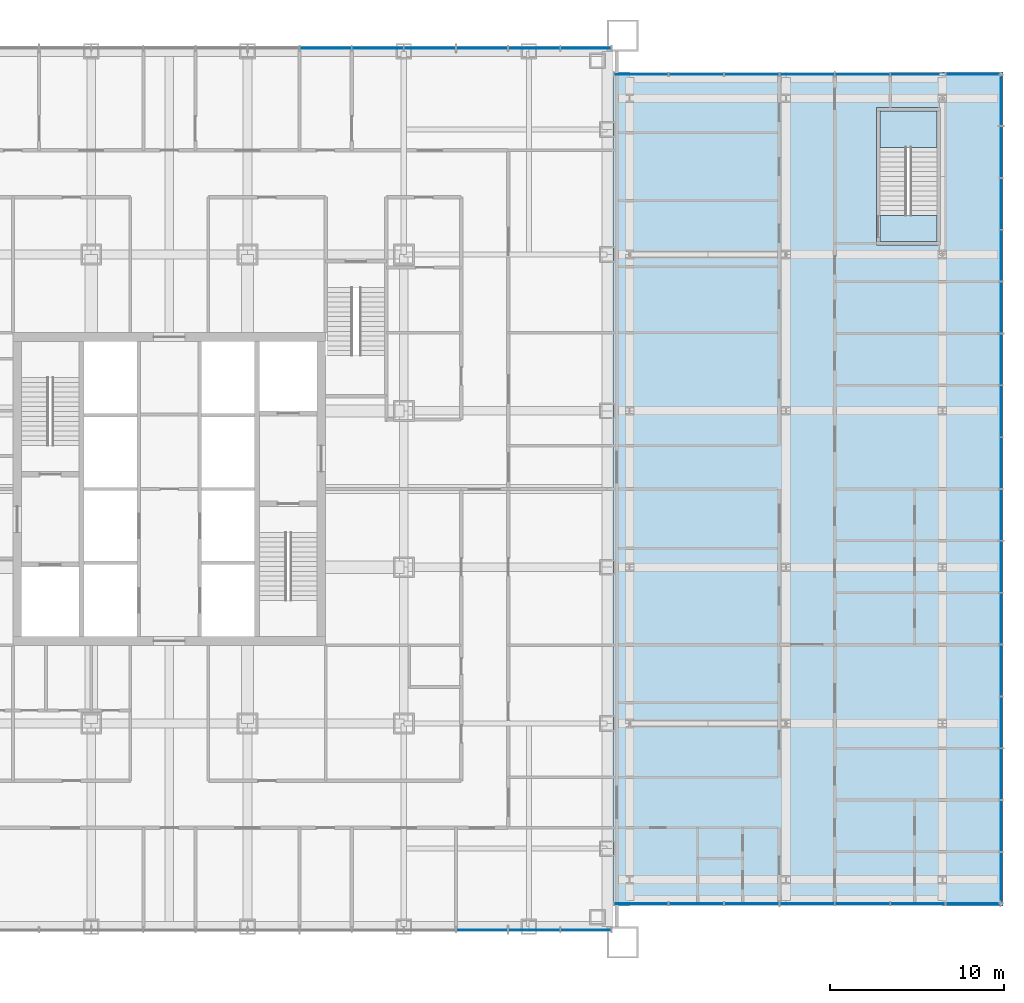
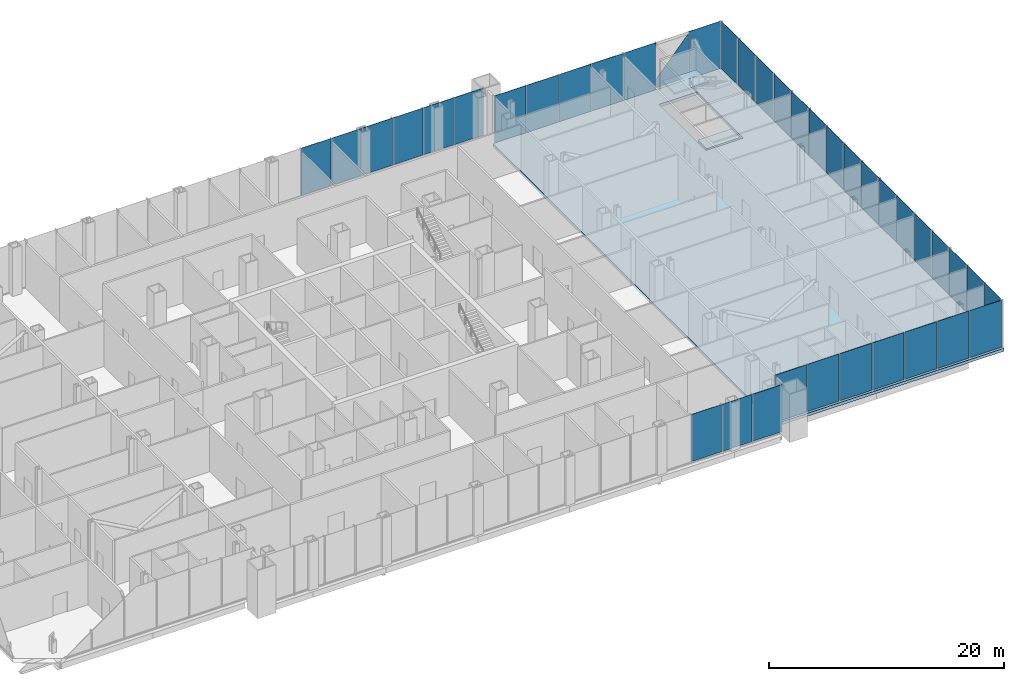
# One storey, part 11 of 25: 39 plates, 3 slabs, 6 elements without a shape of their own.
"""IFC4 building model written with IfcOpenShell, lengths in metres."""

import ifcopenshell
import ifcopenshell.guid

model = None  # the IFC model being written
_history = None  # IfcOwnerHistory: only IFC2X3 demands one
_inside = {}  # id of a spatial element -> (the spatial element, [elements in it])
_under = {}  # id of a project, library or spatial element -> (it, [spatial elements below it])
_declared = {}  # id of a project -> (the project, [libraries it declares])
_typed = {}  # id of a type object -> (the type object, [elements of that type])
_made_of = {}  # id of a material, layer set ... -> (it, [elements and type objects made of it])


def new_model(schema):
    """Start an empty IFC model of exactly this schema.

    Asked for "IFC4X3", IfcOpenShell would pick the latest addendum, in which some entities
    have other attributes; the version numbers below select the first issue.
    IFC2X3 requires an IfcOwnerHistory on every rooted entity: one is made here for all.
    """
    global model, _history
    if schema == "IFC4X3":
        model = ifcopenshell.file(schema_version=(4, 3, 0, 0))
    else:
        model = ifcopenshell.file(schema=schema)
    _inside.clear()
    _under.clear()
    _declared.clear()
    _typed.clear()
    _made_of.clear()
    _history = None
    if model.schema == "IFC2X3":
        org = make("IfcOrganization", Name="unknown")
        user = make(
            "IfcPersonAndOrganization",
            ThePerson=make("IfcPerson", FamilyName="unknown"),
            TheOrganization=org,
        )
        app = make(
            "IfcApplication",
            ApplicationDeveloper=org,
            Version="unknown",
            ApplicationFullName="unknown",
            ApplicationIdentifier="unknown",
        )
        _history = make(
            "IfcOwnerHistory",
            OwningUser=user,
            OwningApplication=app,
            ChangeAction="ADDED",
            CreationDate=0,
        )
    return model


def make(cls, **values):
    """One entity of the class cls with the attributes given. An attribute that is None is left unset."""
    return model.create_entity(
        cls, **{name: value for name, value in values.items() if value is not None}
    )


def rooted(cls, **values):
    """An entity with a GlobalId (a new one), such as an element, a storey or a relation."""
    return make(cls, GlobalId=ifcopenshell.guid.new(), OwnerHistory=_history, **values)


def si_unit(unit_type, name, prefix=None):
    """IfcSIUnit, for example si_unit("LENGTHUNIT", "METRE", prefix="MILLI")."""
    return make("IfcSIUnit", UnitType=unit_type, Prefix=prefix, Name=name)


def assignment(units):
    """IfcUnitAssignment: the units of a project."""
    return None if units is None else make("IfcUnitAssignment", Units=units)


def point(xyz):
    """IfcCartesianPoint."""
    return None if xyz is None else make("IfcCartesianPoint", Coordinates=xyz)


def direction(xyz):
    """IfcDirection."""
    return None if xyz is None else make("IfcDirection", DirectionRatios=xyz)


def frame(location, z_axis=None, x_axis=None):
    """IfcAxis2Placement3D, a coordinate frame: its origin and axes. An axis left out is left unset."""
    return make(
        "IfcAxis2Placement3D",
        Location=point(location),
        Axis=direction(z_axis),
        RefDirection=direction(x_axis),
    )


def frame_2d(location, x_axis=None):
    """IfcAxis2Placement2D, a coordinate frame in the plane: its origin and x axis."""
    return make(
        "IfcAxis2Placement2D", Location=point(location), RefDirection=direction(x_axis)
    )


def origin():
    """The frame at (0, 0, 0) with its axes left unset."""
    return frame((0.0, 0.0, 0.0))


def origin_2d():
    """The frame at (0, 0) in the plane with its x axis left unset."""
    return frame_2d((0.0, 0.0))


def place(relative_to, where):
    """IfcLocalPlacement: puts the frame where relative to a parent placement (None: the world)."""
    return make(
        "IfcLocalPlacement", PlacementRelTo=relative_to, RelativePlacement=where
    )


def context(
    kind, dimensions, precision=None, world=None, true_north=None, identifier=None
):
    """IfcGeometricRepresentationContext, for example the 3D "Model" context."""
    return make(
        "IfcGeometricRepresentationContext",
        ContextIdentifier=identifier,
        ContextType=kind,
        CoordinateSpaceDimension=dimensions,
        Precision=precision,
        WorldCoordinateSystem=world,
        TrueNorth=true_north,
    )


def subcontext(parent, identifier, kind, view, scale=None):
    """IfcGeometricRepresentationSubContext, for example "Body" below "Model"."""
    return make(
        "IfcGeometricRepresentationSubContext",
        ContextIdentifier=identifier,
        ContextType=kind,
        ParentContext=parent,
        TargetScale=scale,
        TargetView=view,
    )


def project(units=None, contexts=None):
    """IfcProject with its units and contexts."""
    return rooted(
        "IfcProject",
        Name="project",
        RepresentationContexts=contexts,
        UnitsInContext=assignment(units),
    )


def spatial(cls, under=None, at=None, **own):
    """A site, building, storey or space (cls), placed at a placement, below another one or the project."""
    s = rooted(cls, ObjectPlacement=at, **own)
    if under is not None:
        _under.setdefault(under.id(), (under, []))[1].append(s)
    return s


def polyline(points):
    """IfcPolyline through the points."""
    return make("IfcPolyline", Points=[point(p) for p in points])


def profile(cls, at=None, kind="AREA", **sizes):
    """A parametric profile (cls). Its sizes go by their IFC names, for example OverallWidth=200.0."""
    return make(cls, ProfileType=kind, Position=at, **sizes)


def rectangle(**sizes):
    """IfcRectangleProfileDef."""
    return profile("IfcRectangleProfileDef", **sizes)


def outline(outer, holes=None, kind="AREA"):
    """IfcArbitraryClosedProfileDef: a profile drawn as a closed curve; with holes, ...WithVoids."""
    if holes is None:
        return make("IfcArbitraryClosedProfileDef", ProfileType=kind, OuterCurve=outer)
    return make(
        "IfcArbitraryProfileDefWithVoids",
        ProfileType=kind,
        OuterCurve=outer,
        InnerCurves=holes,
    )


def extrude(swept, where, along, depth):
    """IfcExtrudedAreaSolid: the profile swept, set in the frame where, extruded along a direction by depth."""
    return make(
        "IfcExtrudedAreaSolid",
        SweptArea=swept,
        Position=where,
        ExtrudedDirection=direction(along),
        Depth=depth,
    )


def shape(context_of_items, identifier, shape_type, items):
    """IfcShapeRepresentation: the items that make up one representation, for example the "Body"."""
    return make(
        "IfcShapeRepresentation",
        ContextOfItems=context_of_items,
        RepresentationIdentifier=identifier,
        RepresentationType=shape_type,
        Items=items,
    )


def material(Name=None, Category=None):
    """IfcMaterial."""
    return make("IfcMaterial", Name=Name, Category=Category)


def layer(
    of_material, thickness, ventilated=None, Name=None, Category=None, Priority=None
):
    """IfcMaterialLayer: one layer of a wall or slab, of a material (None: an air gap)."""
    return make(
        "IfcMaterialLayer",
        Material=of_material,
        LayerThickness=thickness,
        IsVentilated=ventilated,
        Name=Name,
        Category=Category,
        Priority=Priority,
    )


def layer_set(layers, Name=None):
    """IfcMaterialLayerSet."""
    return make("IfcMaterialLayerSet", MaterialLayers=layers, LayerSetName=Name)


def made_of(thing, what):
    """Note that an element or type object is made of a material, layer set ...; save() writes the relation."""
    if what is not None:
        _made_of.setdefault(what.id(), (what, []))[1].append(thing)
    return thing


def type_object(cls, material=None, **own):
    """A type object (cls), such as IfcWallType, which elements share."""
    return made_of(rooted(cls, **own), material)


def element(
    cls,
    number,
    at=None,
    inside=None,
    cuts=None,
    type_object=None,
    material=None,
    context=None,
    identifier="Body",
    shape_type=None,
    held_by="IfcProductDefinitionShape",
    body=None,
    shapes=None,
    **own,
):
    """One element of the class cls, such as IfcWall. Its Tag is "e" and its number.

    at: its placement. inside: the storey or other place that contains it. cuts: it is an
    opening in that element (IfcRelVoidsElement). A single representation is given by context,
    identifier, shape_type and body (its items); several are given by shapes. held_by: the class
    of the entity that holds the representations. save() writes the other relations.
    """
    e = rooted(cls, Tag="e%d" % number, ObjectPlacement=at, **own)
    if body is not None:
        shapes = [shape(context, identifier, shape_type, body)]
    if shapes is not None:
        e.Representation = make(held_by, Representations=shapes)
    if inside is not None:
        _inside.setdefault(inside.id(), (inside, []))[1].append(e)
    if cuts is not None:
        rooted(
            "IfcRelVoidsElement", RelatingBuildingElement=cuts, RelatedOpeningElement=e
        )
    if type_object is not None:
        _typed.setdefault(type_object.id(), (type_object, []))[1].append(e)
    return made_of(e, material)


def aggregate(whole, parts):
    """IfcRelAggregates: a whole, such as a stair, and the parts it consists of."""
    return rooted("IfcRelAggregates", RelatingObject=whole, RelatedObjects=parts)


def save(model, path):
    """Write the relations noted so far, then the file.

    IfcRelAggregates (storeys below a building ...), IfcRelContainedInSpatialStructure (elements
    in a storey), IfcRelDefinesByType, IfcRelAssociatesMaterial and IfcRelDeclares: one each for
    every whole, place, type object, material and project.
    """
    for whole, parts in _under.values():
        aggregate(whole, parts)
    for where, things in _inside.values():
        rooted(
            "IfcRelContainedInSpatialStructure",
            RelatedElements=things,
            RelatingStructure=where,
        )
    for kind, things in _typed.values():
        rooted("IfcRelDefinesByType", RelatedObjects=things, RelatingType=kind)
    for what, things in _made_of.values():
        rooted("IfcRelAssociatesMaterial", RelatedObjects=things, RelatingMaterial=what)
    for by, libraries in _declared.values():
        rooted("IfcRelDeclares", RelatingContext=by, RelatedDefinitions=libraries)
    model.write(path)


model = new_model("IFC4")

# Units and contexts
model_context = context("Model", 3, precision=1e-05, world=origin(), true_north=direction((0.0, 1.0)))
body_context = subcontext(model_context, "Body", "Model", "MODEL_VIEW")
ifc_project = project(units=[si_unit("LENGTHUNIT", "METRE"), si_unit("AREAUNIT", "SQUARE_METRE"), si_unit("VOLUMEUNIT", "CUBIC_METRE"), si_unit("PLANEANGLEUNIT", "RADIAN"), si_unit("MASSUNIT", "GRAM", prefix="KILO")], contexts=[model_context])

# Site, building, storey
site_placement = place(None, origin())
site = spatial("IfcSite", under=ifc_project, at=site_placement, CompositionType="ELEMENT")
building_placement = place(site_placement, origin())
building = spatial("IfcBuilding", under=site, at=building_placement, Name="Malebo Sky Hospital", CompositionType="ELEMENT")
storey_placement = place(building_placement, frame((0.0, 0.0, 6.0)))
storey = spatial("IfcBuildingStorey", under=building, at=storey_placement, Name="L01", CompositionType="ELEMENT", Elevation=6.0)

# Slab
ifc_material_1 = material(Name="Concrete C40/50", Category="concrete")
ifc_layer_1 = layer(ifc_material_1, 0.300048828125)
ifc_layer_set_1 = layer_set([ifc_layer_1], Name="COMPOSITE FLOOR SLAB 300")
slab_type_1 = type_object("IfcSlabType", Name="COMPOSITE FLOOR SLAB 300", PredefinedType="FLOOR", material=ifc_layer_set_1)
slab_1_placement = place(storey_placement, frame((0.0, 0.0, -0.300048828125)))
element("IfcSlab", 1, at=slab_1_placement, inside=storey, type_object=slab_type_1, Name="Floor slab L01 east wing", PredefinedType="FLOOR", context=body_context, shape_type="SweptSolid", body=[
    extrude(outline(polyline([(108.0, 38.0), (108.0, 86.0), (85.550048828125, 86.0), (85.550048828125, 38.0), (108.0, 38.0)]), holes=[polyline([(104.39990234375, 76.050048828125), (100.699951171875, 76.050048828125), (100.699951171875, 83.949951171875), (104.39990234375, 83.949951171875), (104.39990234375, 76.050048828125)])]), origin(), (0.0, 0.0, 1.0), 0.300048828125),
])

# Stair, slabs
stair_type = type_object("IfcStairType", Name="HALF-TURN STAIR 1500 R167", PredefinedType="HALF_TURN_STAIR", material=ifc_material_1)
stair_placement = place(storey_placement, origin())
stair = element("IfcStair", 2, at=stair_placement, inside=storey, type_object=stair_type, Name="Stair ES L01 type ST1", PredefinedType="HALF_TURN_STAIR")
ifc_layer_2 = layer(ifc_material_1, 0.199951171875)
ifc_layer_set_2 = layer_set([ifc_layer_2], Name="STAIR LANDING 200")
slab_type_2 = type_object("IfcSlabType", Name="STAIR LANDING 200", PredefinedType="LANDING", material=ifc_layer_set_2)
slab_2_placement = place(storey_placement, frame((0.0, 0.0, -0.199951171875)))
slab_2 = element("IfcSlab", 3, at=slab_2_placement, type_object=slab_type_2, Name="ES landing 1", PredefinedType="LANDING", context=body_context, shape_type="SweptSolid", body=[
    extrude(outline(polyline([(100.89990234375, 76.25), (104.199951171875, 76.25), (104.199951171875, 77.75), (100.89990234375, 77.75), (100.89990234375, 76.25)])), origin(), (0.0, 0.0, 1.0), 0.199951171875),
])
slab_3_placement = place(storey_placement, frame((0.0, 0.0, 2.300048828125)))
slab_3 = element("IfcSlab", 4, at=slab_3_placement, type_object=slab_type_2, Name="ES landing 2", PredefinedType="LANDING", context=body_context, shape_type="SweptSolid", body=[
    extrude(outline(polyline([(100.89990234375, 81.669921875), (104.199951171875, 81.669921875), (104.199951171875, 83.75), (100.89990234375, 83.75), (100.89990234375, 81.669921875)])), origin(), (0.0, 0.0, 1.0), 0.199951171875),
])
aggregate(stair, [slab_2, slab_3])

# Curtain wall, plates
ifc_material_2 = material(Name="Anodised aluminium, natural silver", Category="aluminium")
ifc_layer_3 = layer(ifc_material_2, 0.25)
ifc_layer_set_3 = layer_set([ifc_layer_3], Name="PODIUM ENTRANCE BAY CURTAIN WALL")
curtain_wall_type_1 = type_object("IfcCurtainWallType", Name="PODIUM ENTRANCE BAY CURTAIN WALL", PredefinedType="NOTDEFINED", material=ifc_layer_set_3)
curtain_wall_1_placement = place(storey_placement, origin())
curtain_wall_1 = element("IfcCurtainWall", 5, at=curtain_wall_1_placement, inside=storey, type_object=curtain_wall_type_1, Name="BAY curtain wall BS", PredefinedType="NOTDEFINED")
ifc_material_3 = material(Name="Clear low-iron double glazing", Category="glass")
ifc_layer_4 = layer(ifc_material_3, 0.031982421875)
ifc_layer_set_4 = layer_set([ifc_layer_4], Name="VISION PANEL CLEAR 32")
plate_type = type_object("IfcPlateType", Name="VISION PANEL CLEAR 32", PredefinedType="CURTAIN_PANEL", material=ifc_layer_set_4)
plate_1_placement = place(storey_placement, frame((78.0, 36.625, 0.10009765625), z_axis=(0.0, 0.0, 1.0), x_axis=(1.0, 0.0, 0.0)))
plate_1 = element("IfcPlate", 6, at=plate_1_placement, type_object=plate_type, Name="Panel 15", PredefinedType="CURTAIN_PANEL", context=body_context, shape_type="SweptSolid", body=[
    extrude(rectangle(XDim=2.925048828125, YDim=0.031982421875, at=origin_2d()), origin(), (0.0, 0.0, 1.0), 4.889892578125),
])
plate_2_placement = place(storey_placement, frame((81.0, 36.625, 0.10009765625), z_axis=(0.0, 0.0, 1.0), x_axis=(1.0, 0.0, 0.0)))
plate_2 = element("IfcPlate", 7, at=plate_2_placement, type_object=plate_type, Name="Panel 16", PredefinedType="CURTAIN_PANEL", context=body_context, shape_type="SweptSolid", body=[
    extrude(rectangle(XDim=2.925048828125, YDim=0.031982421875, at=origin_2d()), origin(), (0.0, 0.0, 1.0), 4.889892578125),
])
plate_3_placement = place(storey_placement, frame((83.981201171875, 36.625, 0.10009765625), z_axis=(0.0, 0.0, 1.0), x_axis=(1.0, 0.0, 0.0)))
plate_3 = element("IfcPlate", 8, at=plate_3_placement, type_object=plate_type, Name="Panel 17", PredefinedType="CURTAIN_PANEL", context=body_context, shape_type="SweptSolid", body=[
    extrude(rectangle(XDim=2.887451171875, YDim=0.031982421875, at=origin_2d()), origin(), (0.0, 0.0, 1.0), 4.889892578125),
])
aggregate(curtain_wall_1, [plate_1, plate_2, plate_3])

curtain_wall_2_placement = place(storey_placement, origin())
curtain_wall_2 = element("IfcCurtainWall", 9, at=curtain_wall_2_placement, inside=storey, type_object=curtain_wall_type_1, Name="BAY curtain wall BN", PredefinedType="NOTDEFINED")
plate_4_placement = place(storey_placement, frame((83.981201171875, 87.375, 0.10009765625), z_axis=(0.0, 0.0, 1.0), x_axis=(-1.0, 0.0, 0.0)))
plate_4 = element("IfcPlate", 10, at=plate_4_placement, type_object=plate_type, Name="Panel 1", PredefinedType="CURTAIN_PANEL", context=body_context, shape_type="SweptSolid", body=[
    extrude(rectangle(XDim=2.887451171875, YDim=0.031982421875, at=origin_2d()), origin(), (0.0, 0.0, 1.0), 4.889892578125),
])
plate_5_placement = place(storey_placement, frame((81.0, 87.375, 0.10009765625), z_axis=(0.0, 0.0, 1.0), x_axis=(-1.0, 0.0, 0.0)))
plate_5 = element("IfcPlate", 11, at=plate_5_placement, type_object=plate_type, Name="Panel 2", PredefinedType="CURTAIN_PANEL", context=body_context, shape_type="SweptSolid", body=[
    extrude(rectangle(XDim=2.925048828125, YDim=0.031982421875, at=origin_2d()), origin(), (0.0, 0.0, 1.0), 4.889892578125),
])
plate_6_placement = place(storey_placement, frame((78.0, 87.375, 0.10009765625), z_axis=(0.0, 0.0, 1.0), x_axis=(-1.0, 0.0, 0.0)))
plate_6 = element("IfcPlate", 12, at=plate_6_placement, type_object=plate_type, Name="Panel 3", PredefinedType="CURTAIN_PANEL", context=body_context, shape_type="SweptSolid", body=[
    extrude(rectangle(XDim=2.925048828125, YDim=0.031982421875, at=origin_2d()), origin(), (0.0, 0.0, 1.0), 4.889892578125),
])
plate_7_placement = place(storey_placement, frame((75.0, 87.375, 0.10009765625), z_axis=(0.0, 0.0, 1.0), x_axis=(-1.0, 0.0, 0.0)))
plate_7 = element("IfcPlate", 13, at=plate_7_placement, type_object=plate_type, Name="Panel 4", PredefinedType="CURTAIN_PANEL", context=body_context, shape_type="SweptSolid", body=[
    extrude(rectangle(XDim=2.925048828125, YDim=0.031982421875, at=origin_2d()), origin(), (0.0, 0.0, 1.0), 4.889892578125),
])
plate_8_placement = place(storey_placement, frame((72.0, 87.375, 0.10009765625), z_axis=(0.0, 0.0, 1.0), x_axis=(-1.0, 0.0, 0.0)))
plate_8 = element("IfcPlate", 14, at=plate_8_placement, type_object=plate_type, Name="Panel 5", PredefinedType="CURTAIN_PANEL", context=body_context, shape_type="SweptSolid", body=[
    extrude(rectangle(XDim=2.925048828125, YDim=0.031982421875, at=origin_2d()), origin(), (0.0, 0.0, 1.0), 4.889892578125),
])
plate_9_placement = place(storey_placement, frame((69.0, 87.375, 0.10009765625), z_axis=(0.0, 0.0, 1.0), x_axis=(-1.0, 0.0, 0.0)))
plate_9 = element("IfcPlate", 15, at=plate_9_placement, type_object=plate_type, Name="Panel 6", PredefinedType="CURTAIN_PANEL", context=body_context, shape_type="SweptSolid", body=[
    extrude(rectangle(XDim=2.925048828125, YDim=0.031982421875, at=origin_2d()), origin(), (0.0, 0.0, 1.0), 4.889892578125),
])
aggregate(curtain_wall_2, [plate_4, plate_5, plate_6, plate_7, plate_8, plate_9])

ifc_layer_5 = layer(ifc_material_2, 0.25)
ifc_layer_set_5 = layer_set([ifc_layer_5], Name="PODIUM CURTAIN WALL")
curtain_wall_type_2 = type_object("IfcCurtainWallType", Name="PODIUM CURTAIN WALL", PredefinedType="NOTDEFINED", material=ifc_layer_set_5)
curtain_wall_3_placement = place(storey_placement, origin())
curtain_wall_3 = element("IfcCurtainWall", 16, at=curtain_wall_3_placement, inside=storey, type_object=curtain_wall_type_2, Name="POD curtain wall ES", PredefinedType="NOTDEFINED")
plate_10_placement = place(storey_placement, frame((87.163330078125, 38.125, 0.10009765625), z_axis=(0.0, 0.0, 1.0), x_axis=(1.0, 0.0, 0.0)))
plate_10 = element("IfcPlate", 17, at=plate_10_placement, type_object=plate_type, Name="Panel 1", PredefinedType="CURTAIN_PANEL", context=body_context, shape_type="SweptSolid", body=[
    extrude(rectangle(XDim=3.076904296875, YDim=0.031982421875, at=origin_2d()), origin(), (0.0, 0.0, 1.0), 4.889892578125),
])
plate_11_placement = place(storey_placement, frame((90.333984375, 38.125, 0.10009765625), z_axis=(0.0, 0.0, 1.0), x_axis=(1.0, 0.0, 0.0)))
plate_11 = element("IfcPlate", 18, at=plate_11_placement, type_object=plate_type, Name="Panel 2", PredefinedType="CURTAIN_PANEL", context=body_context, shape_type="SweptSolid", body=[
    extrude(rectangle(XDim=3.1142578125, YDim=0.031982421875, at=origin_2d()), origin(), (0.0, 0.0, 1.0), 4.889892578125),
])
plate_12_placement = place(storey_placement, frame((93.523193359375, 38.125, 0.10009765625), z_axis=(0.0, 0.0, 1.0), x_axis=(1.0, 0.0, 0.0)))
plate_12 = element("IfcPlate", 19, at=plate_12_placement, type_object=plate_type, Name="Panel 3", PredefinedType="CURTAIN_PANEL", context=body_context, shape_type="SweptSolid", body=[
    extrude(rectangle(XDim=3.1142578125, YDim=0.031982421875, at=origin_2d()), origin(), (0.0, 0.0, 1.0), 4.889892578125),
])
plate_13_placement = place(storey_placement, frame((96.71240234375, 38.125, 0.10009765625), z_axis=(0.0, 0.0, 1.0), x_axis=(1.0, 0.0, 0.0)))
plate_13 = element("IfcPlate", 20, at=plate_13_placement, type_object=plate_type, Name="Panel 4", PredefinedType="CURTAIN_PANEL", context=body_context, shape_type="SweptSolid", body=[
    extrude(rectangle(XDim=3.1142578125, YDim=0.031982421875, at=origin_2d()), origin(), (0.0, 0.0, 1.0), 4.889892578125),
])
plate_14_placement = place(storey_placement, frame((99.90185546875, 38.125, 0.10009765625), z_axis=(0.0, 0.0, 1.0), x_axis=(1.0, 0.0, 0.0)))
plate_14 = element("IfcPlate", 21, at=plate_14_placement, type_object=plate_type, Name="Panel 5", PredefinedType="CURTAIN_PANEL", context=body_context, shape_type="SweptSolid", body=[
    extrude(rectangle(XDim=3.1142578125, YDim=0.031982421875, at=origin_2d()), origin(), (0.0, 0.0, 1.0), 4.889892578125),
])
plate_15_placement = place(storey_placement, frame((103.091064453125, 38.125, 0.10009765625), z_axis=(0.0, 0.0, 1.0), x_axis=(1.0, 0.0, 0.0)))
plate_15 = element("IfcPlate", 22, at=plate_15_placement, type_object=plate_type, Name="Panel 6", PredefinedType="CURTAIN_PANEL", context=body_context, shape_type="SweptSolid", body=[
    extrude(rectangle(XDim=3.1142578125, YDim=0.031982421875, at=origin_2d()), origin(), (0.0, 0.0, 1.0), 4.889892578125),
])
plate_16_placement = place(storey_placement, frame((106.26171875, 38.125, 0.10009765625), z_axis=(0.0, 0.0, 1.0), x_axis=(1.0, 0.0, 0.0)))
plate_16 = element("IfcPlate", 23, at=plate_16_placement, type_object=plate_type, Name="Panel 7", PredefinedType="CURTAIN_PANEL", context=body_context, shape_type="SweptSolid", body=[
    extrude(rectangle(XDim=3.076904296875, YDim=0.031982421875, at=origin_2d()), origin(), (0.0, 0.0, 1.0), 4.889892578125),
])
aggregate(curtain_wall_3, [plate_10, plate_11, plate_12, plate_13, plate_14, plate_15, plate_16])

curtain_wall_4_placement = place(storey_placement, origin())
curtain_wall_4 = element("IfcCurtainWall", 24, at=curtain_wall_4_placement, inside=storey, type_object=curtain_wall_type_2, Name="POD curtain wall EE", PredefinedType="NOTDEFINED")
plate_17_placement = place(storey_placement, frame((107.875, 39.635986328125, 0.10009765625), z_axis=(0.0, 0.0, 1.0), x_axis=(0.0, 1.0, 0.0)))
plate_17 = element("IfcPlate", 25, at=plate_17_placement, type_object=plate_type, Name="Panel 1", PredefinedType="CURTAIN_PANEL", context=body_context, shape_type="SweptSolid", body=[
    extrude(rectangle(XDim=2.871826171875, YDim=0.031982421875, at=origin_2d()), origin(), (0.0, 0.0, 1.0), 4.889892578125),
])
plate_18_placement = place(storey_placement, frame((107.875, 42.6015625, 0.10009765625), z_axis=(0.0, 0.0, 1.0), x_axis=(0.0, 1.0, 0.0)))
plate_18 = element("IfcPlate", 26, at=plate_18_placement, type_object=plate_type, Name="Panel 2", PredefinedType="CURTAIN_PANEL", context=body_context, shape_type="SweptSolid", body=[
    extrude(rectangle(XDim=2.909423828125, YDim=0.031982421875, at=origin_2d()), origin(), (0.0, 0.0, 1.0), 4.889892578125),
])
plate_19_placement = place(storey_placement, frame((107.875, 45.5859375, 0.10009765625), z_axis=(0.0, 0.0, 1.0), x_axis=(0.0, 1.0, 0.0)))
plate_19 = element("IfcPlate", 27, at=plate_19_placement, type_object=plate_type, Name="Panel 3", PredefinedType="CURTAIN_PANEL", context=body_context, shape_type="SweptSolid", body=[
    extrude(rectangle(XDim=2.9091796875, YDim=0.031982421875, at=origin_2d()), origin(), (0.0, 0.0, 1.0), 4.889892578125),
])
plate_20_placement = place(storey_placement, frame((107.875, 48.5703125, 0.10009765625), z_axis=(0.0, 0.0, 1.0), x_axis=(0.0, 1.0, 0.0)))
plate_20 = element("IfcPlate", 28, at=plate_20_placement, type_object=plate_type, Name="Panel 4", PredefinedType="CURTAIN_PANEL", context=body_context, shape_type="SweptSolid", body=[
    extrude(rectangle(XDim=2.909423828125, YDim=0.031982421875, at=origin_2d()), origin(), (0.0, 0.0, 1.0), 4.889892578125),
])
plate_21_placement = place(storey_placement, frame((107.875, 51.5546875, 0.10009765625), z_axis=(0.0, 0.0, 1.0), x_axis=(0.0, 1.0, 0.0)))
plate_21 = element("IfcPlate", 29, at=plate_21_placement, type_object=plate_type, Name="Panel 5", PredefinedType="CURTAIN_PANEL", context=body_context, shape_type="SweptSolid", body=[
    extrude(rectangle(XDim=2.909423828125, YDim=0.031982421875, at=origin_2d()), origin(), (0.0, 0.0, 1.0), 4.889892578125),
])
plate_22_placement = place(storey_placement, frame((107.875, 54.5390625, 0.10009765625), z_axis=(0.0, 0.0, 1.0), x_axis=(0.0, 1.0, 0.0)))
plate_22 = element("IfcPlate", 30, at=plate_22_placement, type_object=plate_type, Name="Panel 6", PredefinedType="CURTAIN_PANEL", context=body_context, shape_type="SweptSolid", body=[
    extrude(rectangle(XDim=2.9091796875, YDim=0.031982421875, at=origin_2d()), origin(), (0.0, 0.0, 1.0), 4.889892578125),
])
plate_23_placement = place(storey_placement, frame((107.875, 57.5234375, 0.10009765625), z_axis=(0.0, 0.0, 1.0), x_axis=(0.0, 1.0, 0.0)))
plate_23 = element("IfcPlate", 31, at=plate_23_placement, type_object=plate_type, Name="Panel 7", PredefinedType="CURTAIN_PANEL", context=body_context, shape_type="SweptSolid", body=[
    extrude(rectangle(XDim=2.909423828125, YDim=0.031982421875, at=origin_2d()), origin(), (0.0, 0.0, 1.0), 4.889892578125),
])
plate_24_placement = place(storey_placement, frame((107.875, 60.5078125, 0.10009765625), z_axis=(0.0, 0.0, 1.0), x_axis=(0.0, 1.0, 0.0)))
plate_24 = element("IfcPlate", 32, at=plate_24_placement, type_object=plate_type, Name="Panel 8", PredefinedType="CURTAIN_PANEL", context=body_context, shape_type="SweptSolid", body=[
    extrude(rectangle(XDim=2.909423828125, YDim=0.031982421875, at=origin_2d()), origin(), (0.0, 0.0, 1.0), 4.889892578125),
])
plate_25_placement = place(storey_placement, frame((107.875, 63.4921875, 0.10009765625), z_axis=(0.0, 0.0, 1.0), x_axis=(0.0, 1.0, 0.0)))
plate_25 = element("IfcPlate", 33, at=plate_25_placement, type_object=plate_type, Name="Panel 9", PredefinedType="CURTAIN_PANEL", context=body_context, shape_type="SweptSolid", body=[
    extrude(rectangle(XDim=2.909423828125, YDim=0.031982421875, at=origin_2d()), origin(), (0.0, 0.0, 1.0), 4.889892578125),
])
plate_26_placement = place(storey_placement, frame((107.875, 66.4765625, 0.10009765625), z_axis=(0.0, 0.0, 1.0), x_axis=(0.0, 1.0, 0.0)))
plate_26 = element("IfcPlate", 34, at=plate_26_placement, type_object=plate_type, Name="Panel 10", PredefinedType="CURTAIN_PANEL", context=body_context, shape_type="SweptSolid", body=[
    extrude(rectangle(XDim=2.909423828125, YDim=0.031982421875, at=origin_2d()), origin(), (0.0, 0.0, 1.0), 4.889892578125),
])
plate_27_placement = place(storey_placement, frame((107.875, 69.4609375, 0.10009765625), z_axis=(0.0, 0.0, 1.0), x_axis=(0.0, 1.0, 0.0)))
plate_27 = element("IfcPlate", 35, at=plate_27_placement, type_object=plate_type, Name="Panel 11", PredefinedType="CURTAIN_PANEL", context=body_context, shape_type="SweptSolid", body=[
    extrude(rectangle(XDim=2.9091796875, YDim=0.031982421875, at=origin_2d()), origin(), (0.0, 0.0, 1.0), 4.889892578125),
])
plate_28_placement = place(storey_placement, frame((107.875, 72.4453125, 0.10009765625), z_axis=(0.0, 0.0, 1.0), x_axis=(0.0, 1.0, 0.0)))
plate_28 = element("IfcPlate", 36, at=plate_28_placement, type_object=plate_type, Name="Panel 12", PredefinedType="CURTAIN_PANEL", context=body_context, shape_type="SweptSolid", body=[
    extrude(rectangle(XDim=2.909423828125, YDim=0.031982421875, at=origin_2d()), origin(), (0.0, 0.0, 1.0), 4.889892578125),
])
plate_29_placement = place(storey_placement, frame((107.875, 75.4296875, 0.10009765625), z_axis=(0.0, 0.0, 1.0), x_axis=(0.0, 1.0, 0.0)))
plate_29 = element("IfcPlate", 37, at=plate_29_placement, type_object=plate_type, Name="Panel 13", PredefinedType="CURTAIN_PANEL", context=body_context, shape_type="SweptSolid", body=[
    extrude(rectangle(XDim=2.909423828125, YDim=0.031982421875, at=origin_2d()), origin(), (0.0, 0.0, 1.0), 4.889892578125),
])
plate_30_placement = place(storey_placement, frame((107.875, 78.4140625, 0.10009765625), z_axis=(0.0, 0.0, 1.0), x_axis=(0.0, 1.0, 0.0)))
plate_30 = element("IfcPlate", 38, at=plate_30_placement, type_object=plate_type, Name="Panel 14", PredefinedType="CURTAIN_PANEL", context=body_context, shape_type="SweptSolid", body=[
    extrude(rectangle(XDim=2.9091796875, YDim=0.031982421875, at=origin_2d()), origin(), (0.0, 0.0, 1.0), 4.889892578125),
])
plate_31_placement = place(storey_placement, frame((107.875, 81.3984375, 0.10009765625), z_axis=(0.0, 0.0, 1.0), x_axis=(0.0, 1.0, 0.0)))
plate_31 = element("IfcPlate", 39, at=plate_31_placement, type_object=plate_type, Name="Panel 15", PredefinedType="CURTAIN_PANEL", context=body_context, shape_type="SweptSolid", body=[
    extrude(rectangle(XDim=2.909423828125, YDim=0.031982421875, at=origin_2d()), origin(), (0.0, 0.0, 1.0), 4.889892578125),
])
plate_32_placement = place(storey_placement, frame((107.875, 84.364013671875, 0.10009765625), z_axis=(0.0, 0.0, 1.0), x_axis=(0.0, 1.0, 0.0)))
plate_32 = element("IfcPlate", 40, at=plate_32_placement, type_object=plate_type, Name="Panel 16", PredefinedType="CURTAIN_PANEL", context=body_context, shape_type="SweptSolid", body=[
    extrude(rectangle(XDim=2.871826171875, YDim=0.031982421875, at=origin_2d()), origin(), (0.0, 0.0, 1.0), 4.889892578125),
])
aggregate(curtain_wall_4, [plate_17, plate_18, plate_19, plate_20, plate_21, plate_22, plate_23, plate_24, plate_25, plate_26, plate_27, plate_28, plate_29, plate_30, plate_31, plate_32])

curtain_wall_5_placement = place(storey_placement, origin())
curtain_wall_5 = element("IfcCurtainWall", 41, at=curtain_wall_5_placement, inside=storey, type_object=curtain_wall_type_2, Name="POD curtain wall EN", PredefinedType="NOTDEFINED")
plate_33_placement = place(storey_placement, frame((106.26171875, 85.875, 0.10009765625), z_axis=(0.0, 0.0, 1.0), x_axis=(-1.0, 0.0, 0.0)))
plate_33 = element("IfcPlate", 42, at=plate_33_placement, type_object=plate_type, Name="Panel 1", PredefinedType="CURTAIN_PANEL", context=body_context, shape_type="SweptSolid", body=[
    extrude(rectangle(XDim=3.076904296875, YDim=0.031982421875, at=origin_2d()), origin(), (0.0, 0.0, 1.0), 4.889892578125),
])
plate_34_placement = place(storey_placement, frame((103.091064453125, 85.875, 0.2802734375), z_axis=(0.0, 0.0, 1.0), x_axis=(-1.0, 0.0, 0.0)))
plate_34 = element("IfcPlate", 43, at=plate_34_placement, type_object=plate_type, Name="Panel 2", PredefinedType="CURTAIN_PANEL", context=body_context, shape_type="SweptSolid", body=[
    extrude(outline(polyline([(-1.55712890625, 0.0), (1.55712890625, 0.0), (1.55712890625, 0.95654296875), (-1.55712890625, 4.51904296875), (-1.55712890625, 0.0)])), frame((0.0, 0.01611328125, 0.0), z_axis=(0.0, -1.0, 0.0), x_axis=(1.0, 0.0, 0.0)), (0.0, 0.0, 1.0), 0.031982421875),
])
plate_35_placement = place(storey_placement, frame((99.90185546875, 85.875, 0.10009765625), z_axis=(0.0, 0.0, 1.0), x_axis=(-1.0, 0.0, 0.0)))
plate_35 = element("IfcPlate", 44, at=plate_35_placement, type_object=plate_type, Name="Panel 3", PredefinedType="CURTAIN_PANEL", context=body_context, shape_type="SweptSolid", body=[
    extrude(rectangle(XDim=3.1142578125, YDim=0.031982421875, at=origin_2d()), origin(), (0.0, 0.0, 1.0), 4.889892578125),
])
plate_36_placement = place(storey_placement, frame((96.71240234375, 85.875, 0.10009765625), z_axis=(0.0, 0.0, 1.0), x_axis=(-1.0, 0.0, 0.0)))
plate_36 = element("IfcPlate", 45, at=plate_36_placement, type_object=plate_type, Name="Panel 4", PredefinedType="CURTAIN_PANEL", context=body_context, shape_type="SweptSolid", body=[
    extrude(rectangle(XDim=3.1142578125, YDim=0.031982421875, at=origin_2d()), origin(), (0.0, 0.0, 1.0), 4.889892578125),
])
plate_37_placement = place(storey_placement, frame((93.523193359375, 85.875, 0.10009765625), z_axis=(0.0, 0.0, 1.0), x_axis=(-1.0, 0.0, 0.0)))
plate_37 = element("IfcPlate", 46, at=plate_37_placement, type_object=plate_type, Name="Panel 5", PredefinedType="CURTAIN_PANEL", context=body_context, shape_type="SweptSolid", body=[
    extrude(rectangle(XDim=3.1142578125, YDim=0.031982421875, at=origin_2d()), origin(), (0.0, 0.0, 1.0), 4.889892578125),
])
plate_38_placement = place(storey_placement, frame((90.333984375, 85.875, 0.10009765625), z_axis=(0.0, 0.0, 1.0), x_axis=(-1.0, 0.0, 0.0)))
plate_38 = element("IfcPlate", 47, at=plate_38_placement, type_object=plate_type, Name="Panel 6", PredefinedType="CURTAIN_PANEL", context=body_context, shape_type="SweptSolid", body=[
    extrude(rectangle(XDim=3.1142578125, YDim=0.031982421875, at=origin_2d()), origin(), (0.0, 0.0, 1.0), 4.889892578125),
])
plate_39_placement = place(storey_placement, frame((87.163330078125, 85.875, 0.10009765625), z_axis=(0.0, 0.0, 1.0), x_axis=(-1.0, 0.0, 0.0)))
plate_39 = element("IfcPlate", 48, at=plate_39_placement, type_object=plate_type, Name="Panel 7", PredefinedType="CURTAIN_PANEL", context=body_context, shape_type="SweptSolid", body=[
    extrude(rectangle(XDim=3.076904296875, YDim=0.031982421875, at=origin_2d()), origin(), (0.0, 0.0, 1.0), 4.889892578125),
])
aggregate(curtain_wall_5, [plate_33, plate_34, plate_35, plate_36, plate_37, plate_38, plate_39])

save(model, "model.ifc")
